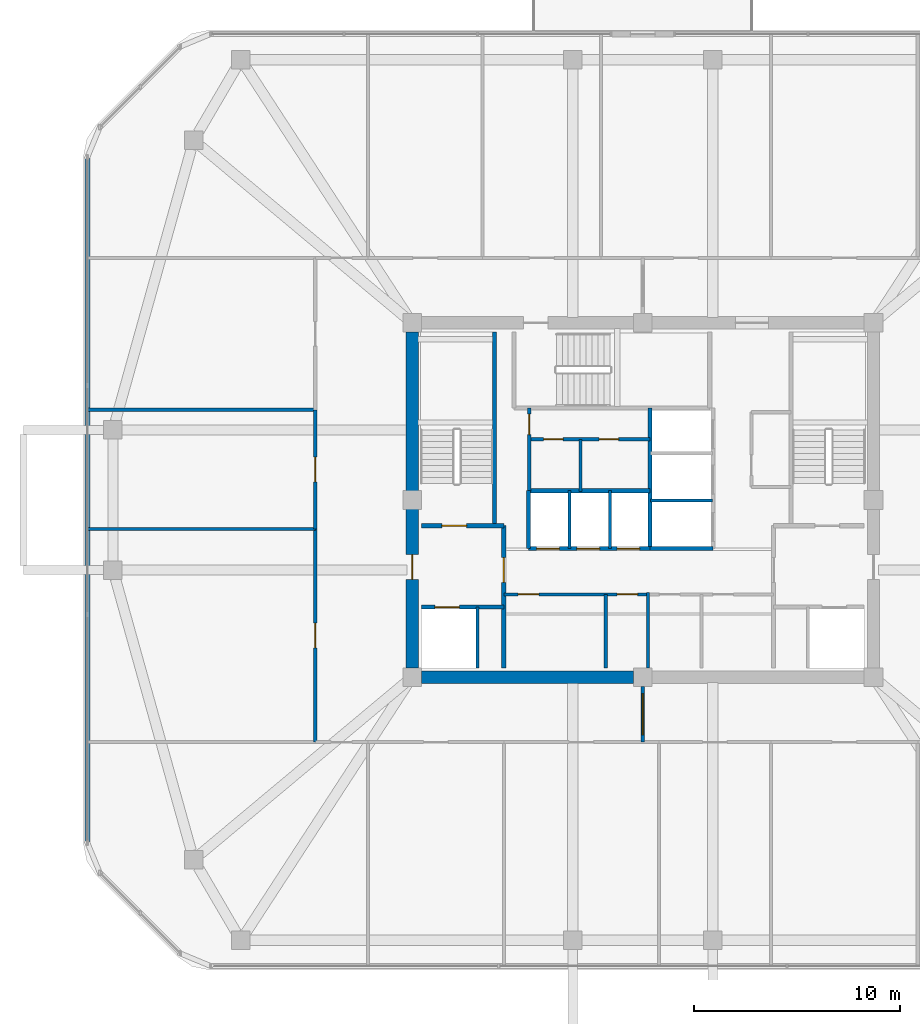
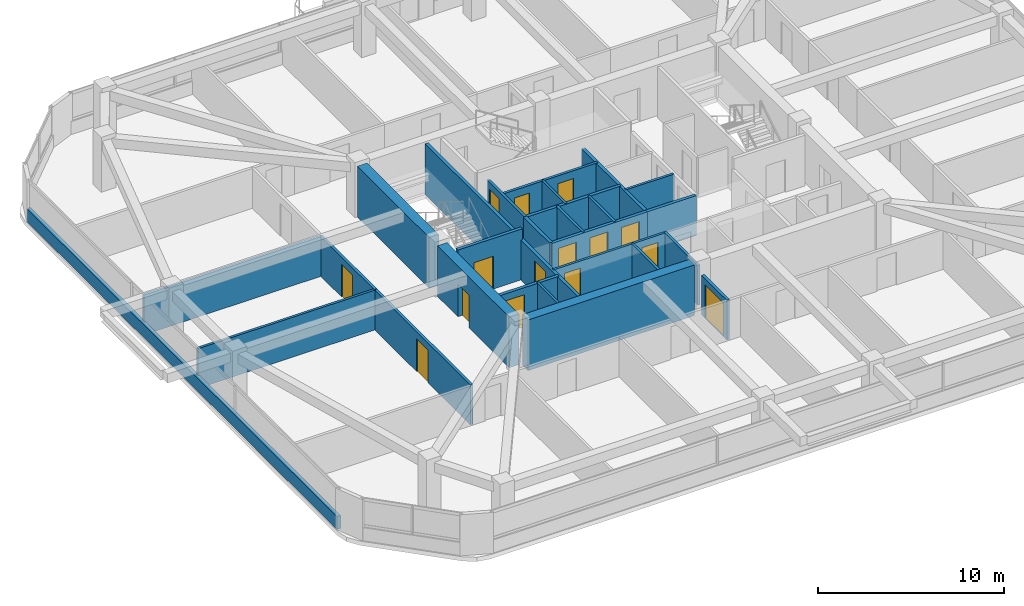
# One storey, part 9 of 14: 28 walls, 15 doors, 15 openings.
"""IFC4 building model written with IfcOpenShell, lengths in metres."""

from ifc_helpers import new_model, si_unit, derived_unit, direction, frame, frame_2d, origin, place, context, subcontext, project, spatial, rectangle, extrude, material, layer, layer_set, type_object, element, fill, save


model = new_model("IFC4")

# Units and contexts
model_context = context("Model", 3, precision=1e-05, world=origin(), true_north=direction((0.0, 1.0)))
body_context = subcontext(model_context, "Body", "Model", "MODEL_VIEW")
ifc_project = project(units=[si_unit("LENGTHUNIT", "METRE"), si_unit("AREAUNIT", "SQUARE_METRE"), si_unit("VOLUMEUNIT", "CUBIC_METRE"), si_unit("PLANEANGLEUNIT", "RADIAN"), si_unit("MASSUNIT", "GRAM", prefix="KILO"), derived_unit("THERMALTRANSMITTANCEUNIT", [(si_unit("POWERUNIT", "WATT"), 1), (si_unit("LENGTHUNIT", "METRE"), -2), (si_unit("THERMODYNAMICTEMPERATUREUNIT", "KELVIN"), -1)])], contexts=[model_context])

# Site, building, storey
site_placement = place(None, origin())
site = spatial("IfcSite", under=ifc_project, at=site_placement, CompositionType="ELEMENT")
building_placement = place(site_placement, origin())
building = spatial("IfcBuilding", under=site, at=building_placement, Name="Koralith Skygarden Medical Center", CompositionType="ELEMENT")
storey_placement = place(building_placement, frame((0.0, 0.0, 225.179931640625)))
storey = spatial("IfcBuildingStorey", under=building, at=storey_placement, Name="L58", CompositionType="ELEMENT", Elevation=225.179931640625)

# Wall, openings, doors
ifc_material_1 = material(Name="Gypsum Board Partition")
ifc_layer_1 = layer(ifc_material_1, 0.14990234375)
ifc_layer_set_1 = layer_set([ifc_layer_1], Name="Gypsum Board Partition")
wall_type_1 = type_object("IfcWallType", Name="Clinical Acoustic Partition 150", PredefinedType="PARTITIONING", material=ifc_layer_set_1)
wall_1_placement = place(storey_placement, frame((30.25, 21.320068359375, 0.0), z_axis=(0.0, 0.0, 1.0), x_axis=(1.0, 0.0, 0.0)))
wall_1 = element("IfcWall", 1, at=wall_1_placement, inside=storey, type_object=wall_type_1, Name="L58 Clinical Acoustic Partition 150 W-CORE-L58-FREED-LR-N", PredefinedType="PARTITIONING", context=body_context, shape_type="SweptSolid", body=[
    extrude(rectangle(XDim=7.0, YDim=0.14990234375, at=frame_2d((3.5, 0.0))), origin(), (0.0, 0.0, 1.0), 2.610107421875),
])
opening_1_placement = place(wall_1_placement, frame((0.699951171875, 0.0, 0.0)))
opening_1 = element("IfcOpeningElement", 2, at=opening_1_placement, cuts=wall_1, Name="Opening D-SUP", PredefinedType="OPENING", context=body_context, shape_type="SweptSolid", body=[
    extrude(rectangle(XDim=1.0, YDim=2.14990234375, at=frame_2d((0.5, 1.074951171875))), frame((0.0, 0.0849609375, 0.0), z_axis=(0.0, -1.0, 0.0), x_axis=(1.0, 0.0, 0.0)), (0.0, 0.0, 1.0), 0.169921875),
])
opening_2_placement = place(wall_1_placement, frame((5.5, 0.0, 0.0)))
opening_2 = element("IfcOpeningElement", 3, at=opening_2_placement, cuts=wall_1, Name="Opening D-SUP", PredefinedType="OPENING", context=body_context, shape_type="SweptSolid", body=[
    extrude(rectangle(XDim=1.0, YDim=2.14990234375, at=frame_2d((0.5, 1.074951171875))), frame((0.0, 0.0849609375, 0.0), z_axis=(0.0, -1.0, 0.0), x_axis=(1.0, 0.0, 0.0)), (0.0, 0.0, 1.0), 0.169921875),
])
ifc_material_2 = material(Name="Aluminium 6063-T6", Category="aluminium")
door_type_1 = type_object("IfcDoorType", Name="Clinical Support Door D-SUP 1000", OperationType="NOTDEFINED", PredefinedType="DOOR", material=ifc_material_2)
door_1_placement = place(opening_1_placement, frame((1.0, 0.0, 0.0), z_axis=(0.0, 0.0, 1.0), x_axis=(-1.0, 0.0, 0.0)))
door_1 = element("IfcDoor", 4, at=door_1_placement, inside=storey, type_object=door_type_1, Name="L58 Medication Preparation Door", OperationType="SINGLE_SWING_LEFT", OverallHeight=2.14990234375, OverallWidth=1.0, PredefinedType="DOOR", context=body_context, shape_type="SweptSolid", body=[
    extrude(rectangle(XDim=1.0, YDim=2.14990234375, at=frame_2d((0.5, 1.074951171875))), frame((0.0, 0.02490234375, 0.0), z_axis=(0.0, -1.0, 0.0), x_axis=(1.0, 0.0, 0.0)), (0.0, 0.0, 1.0), 0.050048828125),
])
fill(opening_1, door_1)
door_2_placement = place(opening_2_placement, frame((1.0, 0.0, 0.0), z_axis=(0.0, 0.0, 1.0), x_axis=(-1.0, 0.0, 0.0)))
door_2 = element("IfcDoor", 5, at=door_2_placement, inside=storey, type_object=door_type_1, Name="L58 Telemetry Room Door", OperationType="SINGLE_SWING_RIGHT", OverallHeight=2.14990234375, OverallWidth=1.0, PredefinedType="DOOR", context=body_context, shape_type="SweptSolid", body=[
    extrude(rectangle(XDim=1.0, YDim=2.14990234375, at=frame_2d((0.5, 1.074951171875))), frame((0.0, 0.02490234375, 0.0), z_axis=(0.0, -1.0, 0.0), x_axis=(1.0, 0.0, 0.0)), (0.0, 0.0, 1.0), 0.050048828125),
])
fill(opening_2, door_2)

# Walls
wall_2_placement = place(storey_placement, frame((35.199951171875, 17.75, 0.0), z_axis=(0.0, 0.0, 1.0), x_axis=(0.0, 1.0, 0.0)))
element("IfcWall", 6, at=wall_2_placement, inside=storey, type_object=wall_type_1, Name="L58 Clinical Acoustic Partition 150 W-CORE-L58-FREED-LR-M", PredefinedType="PARTITIONING", context=body_context, shape_type="SweptSolid", body=[
    extrude(rectangle(XDim=3.570068359375, YDim=0.14990234375, at=frame_2d((1.78515625, 0.0))), origin(), (0.0, 0.0, 1.0), 2.610107421875),
])
wall_3_placement = place(storey_placement, frame((33.97998046875, 26.320068359375, 0.0), z_axis=(0.0, 0.0, 1.0), x_axis=(0.0, 1.0, 0.0)))
element("IfcWall", 7, at=wall_3_placement, inside=storey, type_object=wall_type_1, Name="L58 Clinical Acoustic Partition 150 W-CORE-L58-FLEX-V3A", PredefinedType="PARTITIONING", context=body_context, shape_type="SweptSolid", body=[
    extrude(rectangle(XDim=2.52001953125, YDim=0.14990234375, at=frame_2d((1.260009765625, 0.0))), origin(), (0.0, 0.0, 1.0), 2.610107421875),
])
for number, where, z_axis, x_axis, name in (
    (8, (21.10009765625, 24.489990234375, 0.0), (0.0, 0.0, 1.0), (-1.0, 0.0, 0.0), "L58 Clinical Acoustic Partition 150 W-PART-L58-W-01"),
    (9, (21.10009765625, 30.280029296875, 0.0), (0.0, 0.0, 1.0), (-1.0, 0.0, 0.0), "L58 Clinical Acoustic Partition 150 W-PART-L58-W-02"),
):
    element("IfcWall", number, at=place(storey_placement, frame(where, z_axis=z_axis, x_axis=x_axis)), inside=storey, type_object=wall_type_1, Name=name, PredefinedType="PARTITIONING", context=body_context, shape_type="SweptSolid", body=[
        extrude(rectangle(XDim=11.0419921875, YDim=0.14990234375, at=frame_2d((5.52099609375, 0.0))), origin(), (0.0, 0.0, 1.0), 2.610107421875),
    ])

# Wall, opening, door
ifc_layer_2 = layer(ifc_material_1, 0.1650390625)
ifc_layer_set_2 = layer_set([ifc_layer_2], Name="Gypsum Board Partition")
wall_type_2 = type_object("IfcWallType", Name="Clinical Corridor Partition 165", PredefinedType="PARTITIONING", material=ifc_layer_set_2)
wall_4_placement = place(storey_placement, frame((21.10009765625, 14.14990234375, 0.0), z_axis=(0.0, 0.0, 1.0), x_axis=(0.0, 1.0, 0.0)))
wall_4 = element("IfcWall", 10, at=wall_4_placement, inside=storey, type_object=wall_type_2, Name="L58 Clinical Corridor Partition 165 W-CORR-L58-W-01", PredefinedType="PARTITIONING", context=body_context, shape_type="SweptSolid", body=[
    extrude(rectangle(XDim=10.340087890625, YDim=0.1650390625, at=frame_2d((5.169921875, 0.0))), origin(), (0.0, 0.0, 1.0), 2.610107421875),
])
opening_3_placement = place(wall_4_placement, frame((4.570068359375, 0.0, 0.0)))
opening_3 = element("IfcOpeningElement", 11, at=opening_3_placement, cuts=wall_4, Name="Opening D-CLN", PredefinedType="OPENING", context=body_context, shape_type="SweptSolid", body=[
    extrude(rectangle(XDim=1.199951171875, YDim=2.14990234375, at=frame_2d((0.60009765625, 1.074951171875))), frame((0.0, 0.092529296875, 0.0), z_axis=(0.0, -1.0, 0.0), x_axis=(1.0, 0.0, 0.0)), (0.0, 0.0, 1.0), 0.18505859375),
])
door_type_2 = type_object("IfcDoorType", Name="Clinical Corridor Door D-CLN 1200", OperationType="NOTDEFINED", PredefinedType="DOOR", material=ifc_material_2)
door_3_placement = place(opening_3_placement, frame((1.199951171875, 0.0, 0.0), z_axis=(0.0, 0.0, 1.0), x_axis=(-1.0, 0.0, 0.0)))
door_3 = element("IfcDoor", 12, at=door_3_placement, inside=storey, type_object=door_type_2, Name="L58 Clinical Consultation Office 13 Door", OperationType="SINGLE_SWING_RIGHT", OverallHeight=2.14990234375, OverallWidth=1.199951171875, PredefinedType="DOOR", context=body_context, shape_type="SweptSolid", body=[
    extrude(rectangle(XDim=1.199951171875, YDim=2.14990234375, at=frame_2d((0.60009765625, 1.074951171875))), frame((0.0, 0.02490234375, 0.0), z_axis=(0.0, -1.0, 0.0), x_axis=(1.0, 0.0, 0.0)), (0.0, 0.0, 1.0), 0.050048828125),
])
fill(opening_3, door_3)

wall_5_placement = place(storey_placement, frame((21.10009765625, 24.489990234375, 0.0), z_axis=(0.0, 0.0, 1.0), x_axis=(0.0, 1.0, 0.0)))
wall_5 = element("IfcWall", 13, at=wall_5_placement, inside=storey, type_object=wall_type_2, Name="L58 Clinical Corridor Partition 165 W-CORR-L58-W-02", PredefinedType="PARTITIONING", context=body_context, shape_type="SweptSolid", body=[
    extrude(rectangle(XDim=5.7900390625, YDim=0.1650390625, at=frame_2d((2.89501953125, 0.0))), origin(), (0.0, 0.0, 1.0), 2.610107421875),
])
opening_4_placement = place(wall_5_placement, frame((2.294921875, 0.0, 0.0)))
opening_4 = element("IfcOpeningElement", 14, at=opening_4_placement, cuts=wall_5, Name="Opening D-CLN", PredefinedType="OPENING", context=body_context, shape_type="SweptSolid", body=[
    extrude(rectangle(XDim=1.199951171875, YDim=2.14990234375, at=frame_2d((0.60009765625, 1.074951171875))), frame((0.0, 0.092529296875, 0.0), z_axis=(0.0, -1.0, 0.0), x_axis=(1.0, 0.0, 0.0)), (0.0, 0.0, 1.0), 0.18505859375),
])
door_4_placement = place(opening_4_placement, frame((1.199951171875, 0.0, 0.0), z_axis=(0.0, 0.0, 1.0), x_axis=(-1.0, 0.0, 0.0)))
door_4 = element("IfcDoor", 15, at=door_4_placement, inside=storey, type_object=door_type_2, Name="L58 Medical Resident Teaching Seminar Room 14 Door", OperationType="SINGLE_SWING_LEFT", OverallHeight=2.14990234375, OverallWidth=1.199951171875, PredefinedType="DOOR", context=body_context, shape_type="SweptSolid", body=[
    extrude(rectangle(XDim=1.199951171875, YDim=2.14990234375, at=frame_2d((0.60009765625, 1.074951171875))), frame((0.0, 0.02490234375, 0.0), z_axis=(0.0, -1.0, 0.0), x_axis=(1.0, 0.0, 0.0)), (0.0, 0.0, 1.0), 0.050048828125),
])
fill(opening_4, door_4)

ifc_layer_3 = layer(ifc_material_1, 0.199951171875)
ifc_layer_set_3 = layer_set([ifc_layer_3], Name="Gypsum Board Partition")
wall_type_3 = type_object("IfcWallType", Name="Fire Shaft Wall 200", PredefinedType="SOLIDWALL", material=ifc_layer_set_3)
wall_6_placement = place(storey_placement, frame((26.25, 20.699951171875, 0.0), z_axis=(0.0, 0.0, 1.0), x_axis=(1.0, 0.0, 0.0)))
wall_6 = element("IfcWall", 16, at=wall_6_placement, inside=storey, type_object=wall_type_3, Name="L58 Fire Shaft Wall 200 W-CORE-L58-FF1-N", PredefinedType="SOLIDWALL", context=body_context, shape_type="SweptSolid", body=[
    extrude(rectangle(XDim=4.0, YDim=0.199951171875, at=frame_2d((2.0, 0.0))), origin(), (0.0, 0.0, 1.0), 2.610107421875),
])
opening_5_placement = place(wall_6_placement, frame((0.64990234375, 0.0, 0.0)))
opening_5 = element("IfcOpeningElement", 17, at=opening_5_placement, cuts=wall_6, Name="Opening LD-FF", PredefinedType="OPENING", context=body_context, shape_type="SweptSolid", body=[
    extrude(rectangle(XDim=1.199951171875, YDim=2.14990234375, at=frame_2d((0.60009765625, 1.074951171875))), frame((0.0, 0.10986328125, 0.0), z_axis=(0.0, -1.0, 0.0), x_axis=(1.0, 0.0, 0.0)), (0.0, 0.0, 1.0), 0.219970703125),
])
ifc_material_3 = material(Name="Steel ASTM A500 Grade C", Category="steel")
door_type_3 = type_object("IfcDoorType", Name="Fire Lift Sliding Landing Door LD-FF 1200", OperationType="NOTDEFINED", PredefinedType="DOOR", material=ifc_material_3)
door_5_placement = place(opening_5_placement, origin())
door_5 = element("IfcDoor", 18, at=door_5_placement, inside=storey, type_object=door_type_3, Name="L58 Fire Service Elevator FF1 Landing Door", OperationType="SLIDING_TO_LEFT", OverallHeight=2.14990234375, OverallWidth=1.199951171875, PredefinedType="DOOR", context=body_context, shape_type="SweptSolid", body=[
    extrude(rectangle(XDim=1.199951171875, YDim=2.14990234375, at=frame_2d((0.60009765625, 1.074951171875))), frame((0.0, 0.02490234375, 0.0), z_axis=(0.0, -1.0, 0.0), x_axis=(1.0, 0.0, 0.0)), (0.0, 0.0, 1.0), 0.050048828125),
])
fill(opening_5, door_5)

wall_7_placement = place(storey_placement, frame((30.25, 17.75, 0.0), z_axis=(0.0, 0.0, 1.0), x_axis=(0.0, 1.0, 0.0)))
wall_7 = element("IfcWall", 19, at=wall_7_placement, inside=storey, type_object=wall_type_3, Name="L58 Fire Shaft Wall 200 W-CORE-L58-FSAEW-E", PredefinedType="SOLIDWALL", context=body_context, shape_type="SweptSolid", body=[
    extrude(rectangle(XDim=6.89990234375, YDim=0.199951171875, at=frame_2d((3.449951171875, 0.0))), origin(), (0.0, 0.0, 1.0), 2.610107421875),
])
opening_6_placement = place(wall_7_placement, frame((4.14990234375, 0.0, 0.0)))
opening_6 = element("IfcOpeningElement", 20, at=opening_6_placement, cuts=wall_7, Name="Opening D-ST60", PredefinedType="OPENING", context=body_context, shape_type="SweptSolid", body=[
    extrude(rectangle(XDim=1.199951171875, YDim=2.14990234375, at=frame_2d((0.60009765625, 1.074951171875))), frame((0.0, 0.10986328125, 0.0), z_axis=(0.0, -1.0, 0.0), x_axis=(1.0, 0.0, 0.0)), (0.0, 0.0, 1.0), 0.219970703125),
])
door_type_4 = type_object("IfcDoorType", Name="Smokeproof Stair Fire Door FD60S 1200", OperationType="NOTDEFINED", PredefinedType="DOOR", material=ifc_material_3)
door_6_placement = place(opening_6_placement, origin())
door_6 = element("IfcDoor", 21, at=door_6_placement, inside=storey, type_object=door_type_4, Name="L58 West Firefighting Lobby Inner Fire Door", OperationType="SINGLE_SWING_LEFT", OverallHeight=2.14990234375, OverallWidth=1.199951171875, PredefinedType="DOOR", context=body_context, shape_type="SweptSolid", body=[
    extrude(rectangle(XDim=1.199951171875, YDim=2.14990234375, at=frame_2d((0.60009765625, 1.074951171875))), frame((0.0, 0.02490234375, 0.0), z_axis=(0.0, -1.0, 0.0), x_axis=(1.0, 0.0, 0.0)), (0.0, 0.0, 1.0), 0.050048828125),
])
fill(opening_6, door_6)

# Wall, openings, doors
wall_8_placement = place(storey_placement, frame((31.449951171875, 23.5400390625, 0.0), z_axis=(0.0, 0.0, 1.0), x_axis=(1.0, 0.0, 0.0)))
wall_8 = element("IfcWall", 22, at=wall_8_placement, inside=storey, type_object=wall_type_3, Name="L58 Fire Shaft Wall 200 W-CORE-L58-PH-S", PredefinedType="SOLIDWALL", context=body_context, shape_type="SweptSolid", body=[
    extrude(rectangle(XDim=5.900146484375, YDim=0.199951171875, at=frame_2d((2.9501953125, 0.0))), origin(), (0.0, 0.0, 1.0), 2.610107421875),
])
opening_7_placement = place(wall_8_placement, frame((0.39990234375, 0.0, 0.0)))
opening_7 = element("IfcOpeningElement", 23, at=opening_7_placement, cuts=wall_8, Name="Opening LD-P", PredefinedType="OPENING", context=body_context, shape_type="SweptSolid", body=[
    extrude(rectangle(XDim=1.10009765625, YDim=2.14990234375, at=frame_2d((0.550048828125, 1.074951171875))), frame((0.0, 0.10986328125, 0.0), z_axis=(0.0, -1.0, 0.0), x_axis=(1.0, 0.0, 0.0)), (0.0, 0.0, 1.0), 0.219970703125),
])
opening_8_placement = place(wall_8_placement, frame((2.35009765625, 0.0, 0.0)))
opening_8 = element("IfcOpeningElement", 24, at=opening_8_placement, cuts=wall_8, Name="Opening LD-P", PredefinedType="OPENING", context=body_context, shape_type="SweptSolid", body=[
    extrude(rectangle(XDim=1.10009765625, YDim=2.14990234375, at=frame_2d((0.550048828125, 1.074951171875))), frame((0.0, 0.10986328125, 0.0), z_axis=(0.0, -1.0, 0.0), x_axis=(1.0, 0.0, 0.0)), (0.0, 0.0, 1.0), 0.219970703125),
])
opening_9_placement = place(wall_8_placement, frame((4.300048828125, 0.0, 0.0)))
opening_9 = element("IfcOpeningElement", 25, at=opening_9_placement, cuts=wall_8, Name="Opening LD-P", PredefinedType="OPENING", context=body_context, shape_type="SweptSolid", body=[
    extrude(rectangle(XDim=1.10009765625, YDim=2.14990234375, at=frame_2d((0.550048828125, 1.074951171875))), frame((0.0, 0.10986328125, 0.0), z_axis=(0.0, -1.0, 0.0), x_axis=(1.0, 0.0, 0.0)), (0.0, 0.0, 1.0), 0.219970703125),
])
door_type_5 = type_object("IfcDoorType", Name="Passenger Lift Sliding Landing Door LD-P 1100", OperationType="NOTDEFINED", PredefinedType="DOOR", material=ifc_material_3)
door_7_placement = place(opening_7_placement, origin())
door_7 = element("IfcDoor", 26, at=door_7_placement, inside=storey, type_object=door_type_5, Name="L58 Passenger Elevator PH1 Landing Door", OperationType="SLIDING_TO_RIGHT", OverallHeight=2.14990234375, OverallWidth=1.10009765625, PredefinedType="DOOR", context=body_context, shape_type="SweptSolid", body=[
    extrude(rectangle(XDim=1.10009765625, YDim=2.14990234375, at=frame_2d((0.550048828125, 1.074951171875))), frame((0.0, 0.02490234375, 0.0), z_axis=(0.0, -1.0, 0.0), x_axis=(1.0, 0.0, 0.0)), (0.0, 0.0, 1.0), 0.050048828125),
])
fill(opening_7, door_7)
door_8_placement = place(opening_8_placement, origin())
door_8 = element("IfcDoor", 27, at=door_8_placement, inside=storey, type_object=door_type_5, Name="L58 Passenger Elevator PH2 Landing Door", OperationType="SLIDING_TO_RIGHT", OverallHeight=2.14990234375, OverallWidth=1.10009765625, PredefinedType="DOOR", context=body_context, shape_type="SweptSolid", body=[
    extrude(rectangle(XDim=1.10009765625, YDim=2.14990234375, at=frame_2d((0.550048828125, 1.074951171875))), frame((0.0, 0.02490234375, 0.0), z_axis=(0.0, -1.0, 0.0), x_axis=(1.0, 0.0, 0.0)), (0.0, 0.0, 1.0), 0.050048828125),
])
fill(opening_8, door_8)
door_9_placement = place(opening_9_placement, origin())
door_9 = element("IfcDoor", 28, at=door_9_placement, inside=storey, type_object=door_type_5, Name="L58 Passenger Elevator PH3 Landing Door", OperationType="SLIDING_TO_RIGHT", OverallHeight=2.14990234375, OverallWidth=1.10009765625, PredefinedType="DOOR", context=body_context, shape_type="SweptSolid", body=[
    extrude(rectangle(XDim=1.10009765625, YDim=2.14990234375, at=frame_2d((0.550048828125, 1.074951171875))), frame((0.0, 0.02490234375, 0.0), z_axis=(0.0, -1.0, 0.0), x_axis=(1.0, 0.0, 0.0)), (0.0, 0.0, 1.0), 0.050048828125),
])
fill(opening_9, door_9)

# Walls
wall_9_placement = place(storey_placement, frame((31.449951171875, 26.35009765625, 0.0), z_axis=(0.0, 0.0, 1.0), x_axis=(1.0, 0.0, 0.0)))
element("IfcWall", 29, at=wall_9_placement, inside=storey, type_object=wall_type_3, Name="L58 Fire Shaft Wall 200 W-CORE-L58-PH-N", PredefinedType="SOLIDWALL", context=body_context, shape_type="SweptSolid", body=[
    extrude(rectangle(XDim=5.900146484375, YDim=0.199951171875, at=frame_2d((2.9501953125, 0.0))), origin(), (0.0, 0.0, 1.0), 2.610107421875),
])
wall_10_placement = place(storey_placement, frame((31.449951171875, 23.5400390625, 0.0), z_axis=(0.0, 0.0, 1.0), x_axis=(0.0, 1.0, 0.0)))
element("IfcWall", 30, at=wall_10_placement, inside=storey, type_object=wall_type_3, Name="L58 Fire Shaft Wall 200 W-CORE-L58-PH-W", PredefinedType="SOLIDWALL", context=body_context, shape_type="SweptSolid", body=[
    extrude(rectangle(XDim=2.81005859375, YDim=0.199951171875, at=frame_2d((1.405029296875, 0.0))), origin(), (0.0, 0.0, 1.0), 2.610107421875),
])
wall_11_placement = place(storey_placement, frame((37.35009765625, 23.5400390625, 0.0), z_axis=(0.0, 0.0, 1.0), x_axis=(0.0, 1.0, 0.0)))
element("IfcWall", 31, at=wall_11_placement, inside=storey, type_object=wall_type_3, Name="L58 Fire Shaft Wall 200 W-CORE-L58-SV-W", PredefinedType="SOLIDWALL", context=body_context, shape_type="SweptSolid", body=[
    extrude(rectangle(XDim=6.820068359375, YDim=0.199951171875, at=frame_2d((3.41015625, 0.0))), origin(), (0.0, 0.0, 1.0), 2.610107421875),
])
wall_12_placement = place(storey_placement, frame((37.35009765625, 23.5400390625, 0.0), z_axis=(0.0, 0.0, 1.0), x_axis=(1.0, 0.0, 0.0)))
element("IfcWall", 32, at=wall_12_placement, inside=storey, type_object=wall_type_3, Name="L58 Fire Shaft Wall 200 W-CORE-L58-SV-S", PredefinedType="SOLIDWALL", context=body_context, shape_type="SweptSolid", body=[
    extrude(rectangle(XDim=3.0498046875, YDim=0.199951171875, at=frame_2d((1.52490234375, 0.0))), origin(), (0.0, 0.0, 1.0), 2.610107421875),
])

# Wall, opening, door
ifc_layer_4 = layer(ifc_material_1, 0.179931640625)
ifc_layer_set_4 = layer_set([ifc_layer_4], Name="Gypsum Board Partition")
wall_type_4 = type_object("IfcWallType", Name="Group I-2 Smoke Barrier Wall 180", PredefinedType="PARTITIONING", material=ifc_layer_set_4)
wall_13_placement = place(storey_placement, frame((37.0, 14.14990234375, 0.0), z_axis=(0.0, 0.0, 1.0), x_axis=(0.0, 1.0, 0.0)))
wall_13 = element("IfcWall", 33, at=wall_13_placement, inside=storey, type_object=wall_type_4, Name="L58 Group I-2 Smoke Barrier Wall 180 W-SMK-L58-S", PredefinedType="PARTITIONING", context=body_context, shape_type="SweptSolid", body=[
    extrude(rectangle(XDim=2.7001953125, YDim=0.179931640625, at=frame_2d((1.35009765625, 0.0))), origin(), (0.0, 0.0, 1.0), 2.610107421875),
])
opening_10_placement = place(wall_13_placement, frame((0.35009765625, 0.0, 0.0)))
opening_10 = element("IfcOpeningElement", 34, at=opening_10_placement, cuts=wall_13, Name="Opening D-SMK", PredefinedType="OPENING", context=body_context, shape_type="SweptSolid", body=[
    extrude(rectangle(XDim=2.0, YDim=2.199951171875, at=frame_2d((1.0, 1.10009765625))), frame((0.0, 0.099853515625, 0.0), z_axis=(0.0, -1.0, 0.0), x_axis=(1.0, 0.0, 0.0)), (0.0, 0.0, 1.0), 0.199951171875),
])
door_type_6 = type_object("IfcDoorType", Name="Cross-Corridor Double Smoke Door FD60S 2000", OperationType="NOTDEFINED", PredefinedType="DOOR", material=ifc_material_3)
door_10_placement = place(opening_10_placement, frame((2.0, 0.0, 0.0), z_axis=(0.0, 0.0, 1.0), x_axis=(-1.0, 0.0, 0.0)))
door_10 = element("IfcDoor", 35, at=door_10_placement, inside=storey, type_object=door_type_6, Name="L58 S Smoke Compartment Cross-Corridor Door", OperationType="DOUBLE_DOOR_SINGLE_SWING", OverallHeight=2.199951171875, OverallWidth=2.0, PredefinedType="DOOR", context=body_context, shape_type="SweptSolid", body=[
    extrude(rectangle(XDim=2.0, YDim=2.199951171875, at=frame_2d((1.0, 1.10009765625))), frame((0.0, 0.02490234375, 0.0), z_axis=(0.0, -1.0, 0.0), x_axis=(1.0, 0.0, 0.0)), (0.0, 0.0, 1.0), 0.050048828125),
])
fill(opening_10, door_10)

# Wall
ifc_material_4 = material(Name="Warm Oolitic Limestone Cladding", Category="masonry")
ifc_layer_5 = layer(ifc_material_4, 0.239990234375)
ifc_layer_set_5 = layer_set([ifc_layer_5], Name="Warm Oolitic Limestone Cladding")
wall_type_5 = type_object("IfcWallType", Name="Limestone Spandrel Sill Backup Wall 240", PredefinedType="SOLIDWALL", material=ifc_layer_set_5)
wall_14_placement = place(storey_placement, frame((10.0380859375, 42.544921875, 0.0), z_axis=(0.0, 0.0, 1.0), x_axis=(0.0, -1.0, 0.0)))
element("IfcWall", 36, at=wall_14_placement, inside=storey, type_object=wall_type_5, Name="L58 Sill Spandrel W", PredefinedType="SOLIDWALL", context=body_context, shape_type="SweptSolid", body=[
    extrude(rectangle(XDim=33.2900390625, YDim=0.239990234375, at=frame_2d((16.64501953125, 0.0))), origin(), (0.0, 0.0, 1.0), 0.85009765625),
])

# Wall, opening, door
ifc_layer_6 = layer(ifc_material_1, 0.1650390625)
ifc_layer_set_6 = layer_set([ifc_layer_6], Name="Gypsum Board Partition")
wall_type_6 = type_object("IfcWallType", Name="Plumbing Wet Wall 165", PredefinedType="PLUMBINGWALL", material=ifc_layer_set_6)
wall_15_placement = place(storey_placement, frame((31.47998046875, 26.320068359375, 0.0), z_axis=(0.0, 0.0, 1.0), x_axis=(0.0, 1.0, 0.0)))
wall_15 = element("IfcWall", 37, at=wall_15_placement, inside=storey, type_object=wall_type_6, Name="L58 Plumbing Wet Wall 165 W-CORE-L58-FLEX-W", PredefinedType="PLUMBINGWALL", context=body_context, shape_type="SweptSolid", body=[
    extrude(rectangle(XDim=4.0400390625, YDim=0.1650390625, at=frame_2d((2.02001953125, 0.0))), origin(), (0.0, 0.0, 1.0), 2.610107421875),
])
opening_11_placement = place(wall_15_placement, frame((2.75, 0.0, 0.0)))
opening_11 = element("IfcOpeningElement", 38, at=opening_11_placement, cuts=wall_15, Name="Opening D-SUP", PredefinedType="OPENING", context=body_context, shape_type="SweptSolid", body=[
    extrude(rectangle(XDim=1.0, YDim=2.14990234375, at=frame_2d((0.5, 1.074951171875))), frame((0.0, 0.092529296875, 0.0), z_axis=(0.0, -1.0, 0.0), x_axis=(1.0, 0.0, 0.0)), (0.0, 0.0, 1.0), 0.18505859375),
])
door_11_placement = place(opening_11_placement, frame((1.0, 0.0, 0.0), z_axis=(0.0, 0.0, 1.0), x_axis=(-1.0, 0.0, 0.0)))
door_11 = element("IfcDoor", 39, at=door_11_placement, inside=storey, type_object=door_type_1, Name="L58 Core Utility Alcove Door", OperationType="SINGLE_SWING_RIGHT", OverallHeight=2.14990234375, OverallWidth=1.0, PredefinedType="DOOR", context=body_context, shape_type="SweptSolid", body=[
    extrude(rectangle(XDim=1.0, YDim=2.14990234375, at=frame_2d((0.5, 1.074951171875))), frame((0.0, 0.02490234375, 0.0), z_axis=(0.0, -1.0, 0.0), x_axis=(1.0, 0.0, 0.0)), (0.0, 0.0, 1.0), 0.050048828125),
])
fill(opening_11, door_11)

# Wall, openings, doors
wall_16_placement = place(storey_placement, frame((31.47998046875, 28.840087890625, 0.0), z_axis=(0.0, 0.0, 1.0), x_axis=(1.0, 0.0, 0.0)))
wall_16 = element("IfcWall", 40, at=wall_16_placement, inside=storey, type_object=wall_type_6, Name="L58 Plumbing Wet Wall 165 W-CORE-L58-FLEX-H3", PredefinedType="PLUMBINGWALL", context=body_context, shape_type="SweptSolid", body=[
    extrude(rectangle(XDim=5.8701171875, YDim=0.1650390625, at=frame_2d((2.93505859375, 0.0))), origin(), (0.0, 0.0, 1.0), 2.610107421875),
])
opening_12_placement = place(wall_16_placement, frame((0.699951171875, 0.0, 0.0)))
opening_12 = element("IfcOpeningElement", 41, at=opening_12_placement, cuts=wall_16, Name="Opening D-WC", PredefinedType="OPENING", context=body_context, shape_type="SweptSolid", body=[
    extrude(rectangle(XDim=0.949951171875, YDim=2.10009765625, at=frame_2d((0.47509765625, 1.050048828125))), frame((0.0, 0.092529296875, 0.0), z_axis=(0.0, -1.0, 0.0), x_axis=(1.0, 0.0, 0.0)), (0.0, 0.0, 1.0), 0.18505859375),
])
opening_13_placement = place(wall_16_placement, frame((3.39990234375, 0.0, 0.0)))
opening_13 = element("IfcOpeningElement", 42, at=opening_13_placement, cuts=wall_16, Name="Opening D-WC", PredefinedType="OPENING", context=body_context, shape_type="SweptSolid", body=[
    extrude(rectangle(XDim=0.949951171875, YDim=2.10009765625, at=frame_2d((0.47509765625, 1.050048828125))), frame((0.0, 0.092529296875, 0.0), z_axis=(0.0, -1.0, 0.0), x_axis=(1.0, 0.0, 0.0)), (0.0, 0.0, 1.0), 0.18505859375),
])
door_type_7 = type_object("IfcDoorType", Name="Accessible Toilet Door D-WC 950", OperationType="NOTDEFINED", PredefinedType="DOOR", material=ifc_material_2)
door_12_placement = place(opening_12_placement, frame((0.949951171875, 0.0, 0.0), z_axis=(0.0, 0.0, 1.0), x_axis=(-1.0, 0.0, 0.0)))
door_12 = element("IfcDoor", 43, at=door_12_placement, inside=storey, type_object=door_type_7, Name="L58 Core Accessible WC Door", OperationType="SINGLE_SWING_LEFT", OverallHeight=2.10009765625, OverallWidth=0.949951171875, PredefinedType="DOOR", context=body_context, shape_type="SweptSolid", body=[
    extrude(rectangle(XDim=0.949951171875, YDim=2.10009765625, at=frame_2d((0.47509765625, 1.050048828125))), frame((0.0, 0.02490234375, 0.0), z_axis=(0.0, -1.0, 0.0), x_axis=(1.0, 0.0, 0.0)), (0.0, 0.0, 1.0), 0.050048828125),
])
fill(opening_12, door_12)
door_13_placement = place(opening_13_placement, frame((0.949951171875, 0.0, 0.0), z_axis=(0.0, 0.0, 1.0), x_axis=(-1.0, 0.0, 0.0)))
door_13 = element("IfcDoor", 44, at=door_13_placement, inside=storey, type_object=door_type_7, Name="L58 Housekeeping Store Door", OperationType="SINGLE_SWING_RIGHT", OverallHeight=2.10009765625, OverallWidth=0.949951171875, PredefinedType="DOOR", context=body_context, shape_type="SweptSolid", body=[
    extrude(rectangle(XDim=0.949951171875, YDim=2.10009765625, at=frame_2d((0.47509765625, 1.050048828125))), frame((0.0, 0.02490234375, 0.0), z_axis=(0.0, -1.0, 0.0), x_axis=(1.0, 0.0, 0.0)), (0.0, 0.0, 1.0), 0.050048828125),
])
fill(opening_13, door_13)

# Walls
ifc_layer_7 = layer(ifc_material_1, 0.14990234375)
ifc_layer_set_7 = layer_set([ifc_layer_7], Name="Gypsum Board Partition")
wall_type_7 = type_object("IfcWallType", Name="Shaft Partition Wall 150", PredefinedType="PARTITIONING", material=ifc_layer_set_7)
wall_17_placement = place(storey_placement, frame((28.969970703125, 17.75, 0.0), z_axis=(0.0, 0.0, 1.0), x_axis=(0.0, 1.0, 0.0)))
element("IfcWall", 45, at=wall_17_placement, inside=storey, type_object=wall_type_7, Name="L58 Shaft Partition Wall 150 W-CORE-L58-RSRW-DIV", PredefinedType="PARTITIONING", context=body_context, shape_type="SweptSolid", body=[
    extrude(rectangle(XDim=2.949951171875, YDim=0.14990234375, at=frame_2d((1.47509765625, 0.0))), origin(), (0.0, 0.0, 1.0), 2.610107421875),
])
wall_18_placement = place(storey_placement, frame((37.25, 17.75, 0.0), z_axis=(0.0, 0.0, 1.0), x_axis=(0.0, 1.0, 0.0)))
element("IfcWall", 46, at=wall_18_placement, inside=storey, type_object=wall_type_7, Name="L58 Shaft Partition Wall 150 W-CORE-L58-PL-PM-SEP", PredefinedType="PARTITIONING", context=body_context, shape_type="SweptSolid", body=[
    extrude(rectangle(XDim=3.64990234375, YDim=0.14990234375, at=frame_2d((1.824951171875, 0.0))), origin(), (0.0, 0.0, 1.0), 2.610107421875),
])
for number, where, z_axis, x_axis, name in (
    (47, (33.449951171875, 23.5400390625, 0.0), (0.0, 0.0, 1.0), (0.0, 1.0, 0.0), "L58 Shaft Partition Wall 150 W-CORE-L58-PH-D1"),
    (48, (35.39990234375, 23.5400390625, 0.0), (0.0, 0.0, 1.0), (0.0, 1.0, 0.0), "L58 Shaft Partition Wall 150 W-CORE-L58-PH-D2"),
):
    element("IfcWall", number, at=place(storey_placement, frame(where, z_axis=z_axis, x_axis=x_axis)), inside=storey, type_object=wall_type_7, Name=name, PredefinedType="PARTITIONING", context=body_context, shape_type="SweptSolid", body=[
        extrude(rectangle(XDim=2.81005859375, YDim=0.14990234375, at=frame_2d((1.405029296875, 0.0))), origin(), (0.0, 0.0, 1.0), 2.610107421875),
    ])
wall_19_placement = place(storey_placement, frame((37.3701171875, 25.8701171875, 0.0), z_axis=(0.0, 0.0, 1.0), x_axis=(1.0, 0.0, 0.0)))
element("IfcWall", 49, at=wall_19_placement, inside=storey, type_object=wall_type_7, Name="L58 Shaft Partition Wall 150 W-CORE-L58-SV-D1", PredefinedType="PARTITIONING", context=body_context, shape_type="SweptSolid", body=[
    extrude(rectangle(XDim=3.009765625, YDim=0.14990234375, at=frame_2d((1.5048828125, 0.0))), origin(), (0.0, 0.0, 1.0), 2.610107421875),
])
ifc_material_5 = material(Name="Concrete C45/55", Category="concrete")
ifc_layer_8 = layer(ifc_material_5, 0.199951171875)
ifc_layer_set_8 = layer_set([ifc_layer_8], Name="Concrete C45/55")
wall_type_8 = type_object("IfcWallType", Name="Structural Stair Shaft Wall 200", PredefinedType="SHEAR", material=ifc_layer_set_8)
wall_20_placement = place(storey_placement, frame((29.800048828125, 24.64990234375, 0.0), z_axis=(0.0, 0.0, 1.0), x_axis=(0.0, 1.0, 0.0)))
element("IfcWall", 50, at=wall_20_placement, inside=storey, type_object=wall_type_8, Name="L58 Structural Stair Shaft Wall 200 W-CORE-L58-ST1-E", PredefinedType="SHEAR", context=body_context, shape_type="SweptSolid", body=[
    extrude(rectangle(XDim=9.400146484375, YDim=0.199951171875, at=frame_2d((4.7001953125, 0.0))), origin(), (0.0, 0.0, 1.0), 3.320068359375),
])

# Wall, opening, door
wall_21_placement = place(storey_placement, frame((26.25, 24.64990234375, 0.0), z_axis=(0.0, 0.0, 1.0), x_axis=(1.0, 0.0, 0.0)))
wall_21 = element("IfcWall", 51, at=wall_21_placement, inside=storey, type_object=wall_type_8, Name="L58 Structural Stair Shaft Wall 200 W-CORE-L58-ST1-S", PredefinedType="SHEAR", context=body_context, shape_type="SweptSolid", body=[
    extrude(rectangle(XDim=4.0, YDim=0.199951171875, at=frame_2d((2.0, 0.0))), origin(), (0.0, 0.0, 1.0), 3.320068359375),
])
opening_14_placement = place(wall_21_placement, frame((1.0, 0.0, 0.0)))
opening_14 = element("IfcOpeningElement", 52, at=opening_14_placement, cuts=wall_21, Name="Opening D-ST60", PredefinedType="OPENING", context=body_context, shape_type="SweptSolid", body=[
    extrude(rectangle(XDim=1.199951171875, YDim=2.14990234375, at=frame_2d((0.60009765625, 1.074951171875))), frame((0.0, 0.10986328125, 0.0), z_axis=(0.0, -1.0, 0.0), x_axis=(1.0, 0.0, 0.0)), (0.0, 0.0, 1.0), 0.219970703125),
])
door_14_placement = place(opening_14_placement, origin())
door_14 = element("IfcDoor", 53, at=door_14_placement, inside=storey, type_object=door_type_4, Name="L58 Exit Stair ST1 Fire Door", OperationType="SINGLE_SWING_LEFT", OverallHeight=2.14990234375, OverallWidth=1.199951171875, PredefinedType="DOOR", context=body_context, shape_type="SweptSolid", body=[
    extrude(rectangle(XDim=1.199951171875, YDim=2.14990234375, at=frame_2d((0.60009765625, 1.074951171875))), frame((0.0, 0.02490234375, 0.0), z_axis=(0.0, -1.0, 0.0), x_axis=(1.0, 0.0, 0.0)), (0.0, 0.0, 1.0), 0.050048828125),
])
fill(opening_14, door_14)

# Walls
ifc_material_6 = material(Name="Concrete C55/67", Category="concrete")
ifc_layer_9 = layer(ifc_material_6, 0.60009765625)
ifc_layer_set_9 = layer_set([ifc_layer_9], Name="Concrete C55/67")
wall_type_9 = type_object("IfcWallType", Name="Upper Core Shear Wall 600", PredefinedType="SHEAR", material=ifc_layer_set_9)
wall_22_placement = place(storey_placement, frame((26.2451171875, 17.300048828125, 0.0), z_axis=(0.0, 0.0, 1.0), x_axis=(1.0, 0.0, 0.0)))
element("IfcWall", 54, at=wall_22_placement, inside=storey, type_object=wall_type_9, Name="L58 Core Shear Wall Segment 1", PredefinedType="SHEAR", context=body_context, shape_type="SweptSolid", body=[
    extrude(rectangle(XDim=10.309814453125, YDim=0.60009765625, at=frame_2d((5.15478515625, 0.0))), origin(), (0.0, 0.0, 1.0), 3.320068359375),
])
wall_23_placement = place(storey_placement, frame((25.800048828125, 34.054931640625, 0.0), z_axis=(0.0, 0.0, 1.0), x_axis=(0.0, -1.0, 0.0)))
element("IfcWall", 55, at=wall_23_placement, inside=storey, type_object=wall_type_9, Name="L58 Core Shear Wall Segment 7", PredefinedType="SHEAR", context=body_context, shape_type="SweptSolid", body=[
    extrude(rectangle(XDim=7.7099609375, YDim=0.60009765625, at=frame_2d((3.85498046875, 0.0))), origin(), (0.0, 0.0, 1.0), 3.320068359375),
])

# Wall, opening, door
wall_24_placement = place(storey_placement, frame((25.800048828125, 25.455078125, 0.0), z_axis=(0.0, 0.0, 1.0), x_axis=(0.0, -1.0, 0.0)))
wall_24 = element("IfcWall", 56, at=wall_24_placement, inside=storey, type_object=wall_type_9, Name="L58 Core Shear Wall Segment 8", PredefinedType="SHEAR", context=body_context, shape_type="SweptSolid", body=[
    extrude(rectangle(XDim=7.7099609375, YDim=0.60009765625, at=frame_2d((3.85498046875, 0.0))), origin(), (0.0, 0.0, 1.0), 3.320068359375),
])
opening_15_placement = place(wall_24_placement, frame((2.205078125, 0.0, 0.0)))
opening_15 = element("IfcOpeningElement", 57, at=opening_15_placement, cuts=wall_24, Name="Opening D-ST60", PredefinedType="OPENING", context=body_context, shape_type="SweptSolid", body=[
    extrude(rectangle(XDim=1.199951171875, YDim=2.14990234375, at=frame_2d((0.60009765625, 1.074951171875))), frame((0.0, 0.31005859375, 0.0), z_axis=(0.0, -1.0, 0.0), x_axis=(1.0, 0.0, 0.0)), (0.0, 0.0, 1.0), 0.6201171875),
])
door_15_placement = place(opening_15_placement, frame((1.199951171875, 0.0, 0.0), z_axis=(0.0, 0.0, 1.0), x_axis=(-1.0, 0.0, 0.0)))
door_15 = element("IfcDoor", 58, at=door_15_placement, inside=storey, type_object=door_type_4, Name="L58 West Corridor to Firefighting Lobby Door", OperationType="SINGLE_SWING_LEFT", OverallHeight=2.14990234375, OverallWidth=1.199951171875, PredefinedType="DOOR", context=body_context, shape_type="SweptSolid", body=[
    extrude(rectangle(XDim=1.199951171875, YDim=2.14990234375, at=frame_2d((0.60009765625, 1.074951171875))), frame((0.0, 0.02490234375, 0.0), z_axis=(0.0, -1.0, 0.0), x_axis=(1.0, 0.0, 0.0)), (0.0, 0.0, 1.0), 0.050048828125),
])
fill(opening_15, door_15)

save(model, "model.ifc")
